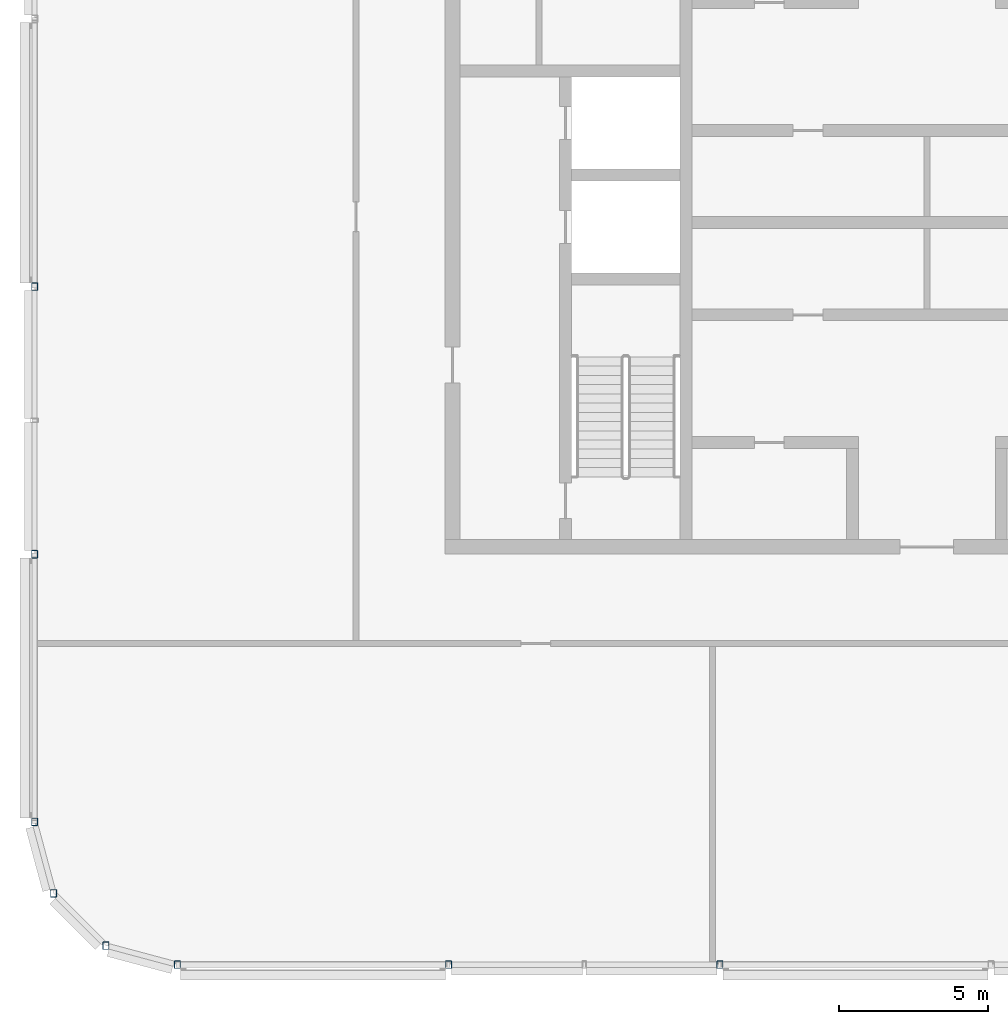
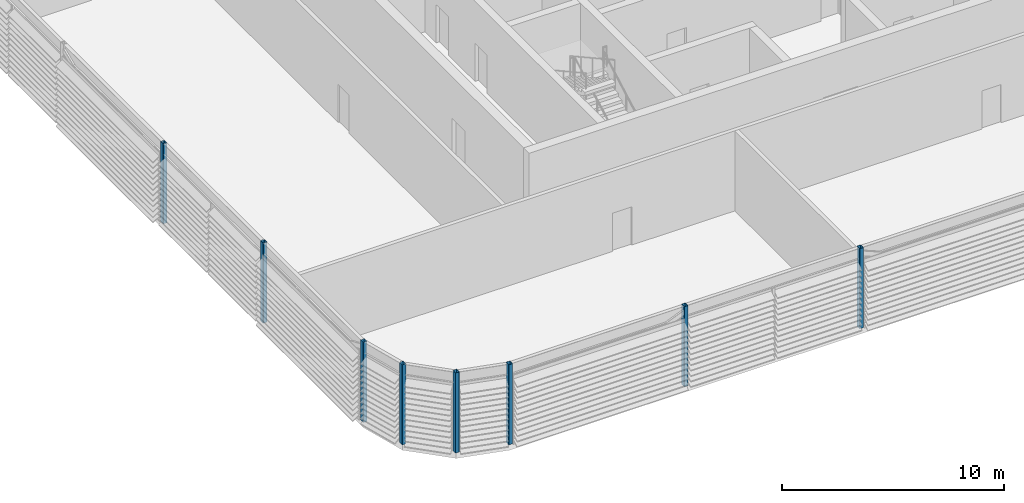
# One storey, part 1 of 27: 8 columns.
"""IFC4 building model written with IfcOpenShell, lengths in metres."""

from ifc_helpers import new_model, si_unit, direction, frame, origin, origin_2d, place, context, subcontext, project, spatial, hollow_rectangle, extrude, material, material_profile, profile_set, type_object, element, save


model = new_model("IFC4")

# Units and contexts
model_context = context("Model", 3, precision=1e-05, world=origin(), true_north=direction((0.0, 1.0)))
body_context = subcontext(model_context, "Body", "Model", "MODEL_VIEW")
ifc_project = project(units=[si_unit("LENGTHUNIT", "METRE"), si_unit("AREAUNIT", "SQUARE_METRE"), si_unit("VOLUMEUNIT", "CUBIC_METRE"), si_unit("PLANEANGLEUNIT", "RADIAN"), si_unit("MASSUNIT", "GRAM", prefix="KILO")], contexts=[model_context])

# Site, building, storey
site_placement = place(None, origin())
site = spatial("IfcSite", under=ifc_project, at=site_placement, CompositionType="ELEMENT")
building_placement = place(site_placement, origin())
building = spatial("IfcBuilding", under=site, at=building_placement, Name="Madar Terraces", CompositionType="ELEMENT")
storey_placement = place(building_placement, frame((0.0, 0.0, 301.10009765625)))
storey = spatial("IfcBuildingStorey", under=building, at=storey_placement, Name="L78", CompositionType="ELEMENT", Elevation=301.10009765625)

# Columns
ifc_material = material(Name="Steel ASTM A500 Grade C", Category="steel")
ifc_material_profile = material_profile(ifc_material, hollow_rectangle(XDim=0.203125, YDim=0.25390625, WallThickness=0.009521484375, InnerFilletRadius=0.00439453125, OuterFilletRadius=0.01318359375, at=origin_2d()), Name="HSS10x8x.375")
ifc_profile_set = profile_set([ifc_material_profile], Name="Steel ASTM A500 Grade C")
column_type = type_object("IfcColumnType", Name="CF1 HSS10x8x.375", PredefinedType="COLUMN", material=ifc_profile_set)
for number, where, z_axis, x_axis, name in (
    (1, (6.0, 1.199951171875, 0.0), (0.0, 0.0, 1.0), (1.0, 0.0, 0.0), "Crown frame column CF1"),
    (2, (15.1201171875, 1.199951171875, 0.0), (0.0, 0.0, 1.0), (1.0, 0.0, 0.0), "Crown frame column CF1"),
    (3, (24.239990234375, 1.199951171875, 0.0), (0.0, 0.0, 1.0), (1.0, 0.0, 0.0), "Crown frame column CF1"),
    (4, (1.199951171875, 24.0, 0.0), (0.0, 0.0, 1.0), (1.0, 0.0, 0.0), "Crown frame column CF1"),
    (5, (1.199951171875, 15.0, 0.0), (0.0, 0.0, 1.0), (1.0, 0.0, 0.0), "Crown frame column CF1"),
    (6, (1.199951171875, 6.0, 0.0), (0.0, 0.0, 1.0), (1.0, 0.0, 0.0), "Crown frame column CF1"),
    (7, (1.843017578125, 3.60009765625, 0.0), (0.0, 0.0, 1.0), (1.0, 0.0, 0.0), "Crown frame column CF1"),
    (8, (3.60009765625, 1.843017578125, 0.0), (0.0, 0.0, 1.0), (1.0, 0.0, 0.0), "Crown frame column CF1"),
):
    element("IfcColumn", number, at=place(storey_placement, frame(where, z_axis=z_axis, x_axis=x_axis)), inside=storey, type_object=column_type, Name=name, PredefinedType="COLUMN", context=body_context, shape_type="SweptSolid", body=[
        extrude(hollow_rectangle(XDim=0.203125, YDim=0.25390625, WallThickness=0.009521484375, InnerFilletRadius=0.00439453125, OuterFilletRadius=0.01318359375, at=origin_2d()), origin(), (0.0, 0.0, 1.0), 4.39990234375),
    ])

save(model, "model.ifc")
